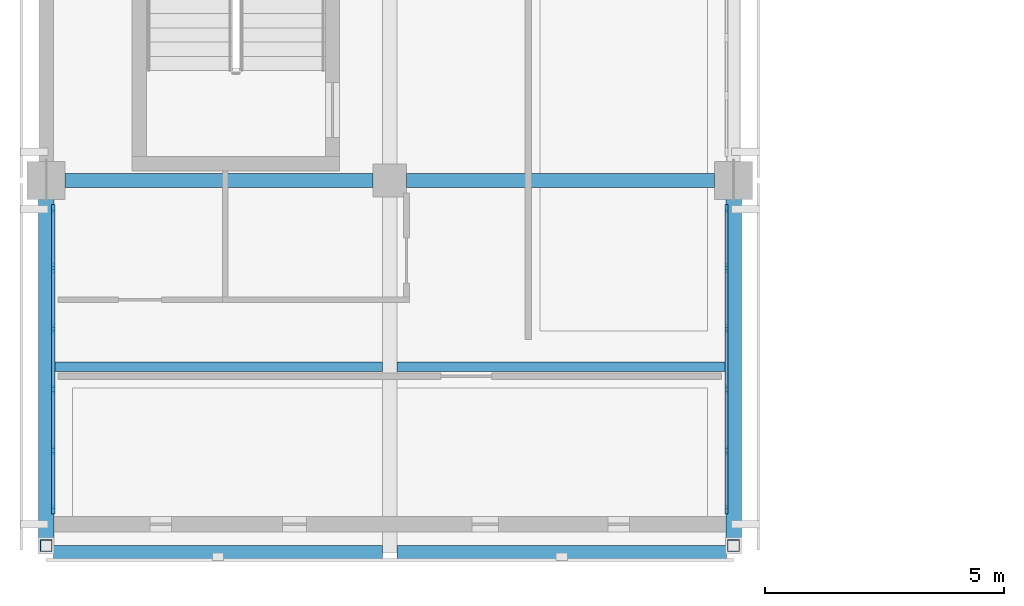
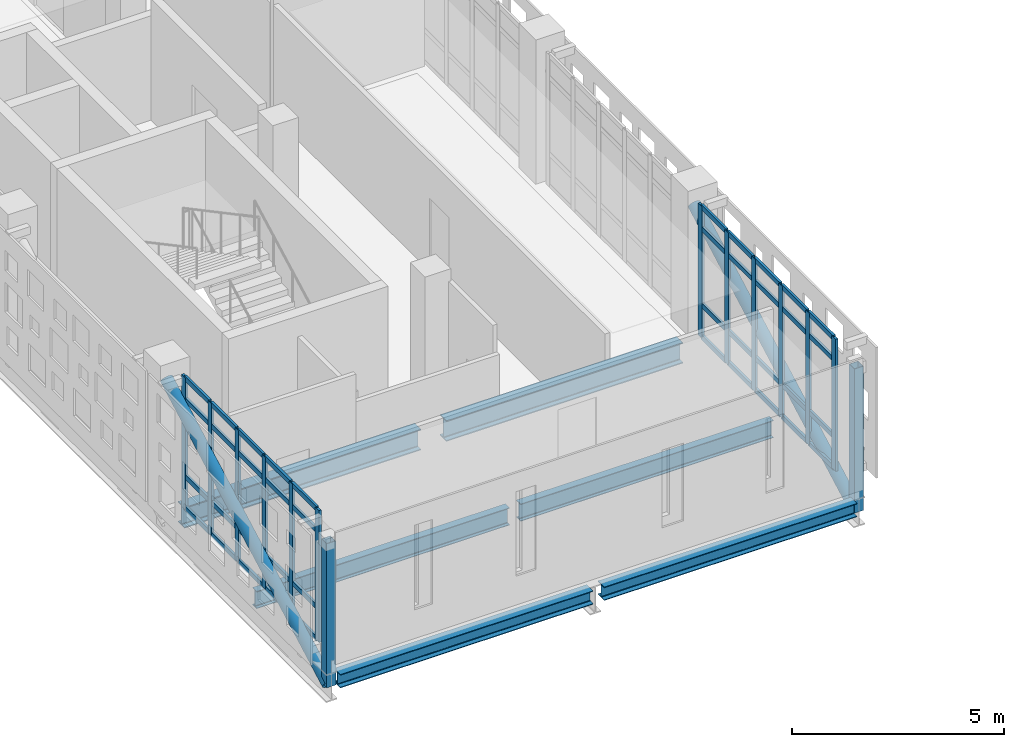
# One storey, part 3 of 33: 56 members, 6 beams, 2 elements without a shape of their own.
"""IFC4 building model written with IfcOpenShell, lengths in metres."""

from ifc_helpers import new_model, si_unit, direction, frame, origin, origin_2d, place, context, subcontext, project, spatial, rectangle, hollow_rectangle, hollow_circle, i_section, extrude, material, layer, layer_set, material_profile, profile_set, type_object, element, aggregate, save


model = new_model("IFC4")

# Units and contexts
model_context = context("Model", 3, precision=1e-05, world=origin(), true_north=direction((0.0, 1.0)))
body_context = subcontext(model_context, "Body", "Model", "MODEL_VIEW")
ifc_project = project(units=[si_unit("LENGTHUNIT", "METRE"), si_unit("AREAUNIT", "SQUARE_METRE"), si_unit("VOLUMEUNIT", "CUBIC_METRE"), si_unit("PLANEANGLEUNIT", "RADIAN"), si_unit("MASSUNIT", "GRAM", prefix="KILO")], contexts=[model_context])

# Site, building, storey
site_placement = place(None, origin())
site = spatial("IfcSite", under=ifc_project, at=site_placement, CompositionType="ELEMENT")
building_placement = place(site_placement, origin())
building = spatial("IfcBuilding", under=site, at=building_placement, Name="Valkovuoma Quantum and Materials Research Institute", CompositionType="ELEMENT")
storey_placement = place(building_placement, frame((0.0, 0.0, 21.43994140625)))
storey = spatial("IfcBuildingStorey", under=building, at=storey_placement, Name="L05", CompositionType="ELEMENT", Elevation=21.43994140625)

# Beams
ifc_material_1 = material(Name="Steel S355J2", Category="steel")
ifc_material_profile_1 = material_profile(ifc_material_1, i_section(OverallWidth=0.300048828125, OverallDepth=0.389892578125, WebThickness=0.010986328125, FlangeThickness=0.01904296875, FilletRadius=0.027099609375, at=origin_2d()), Name="Steel S355J2")
ifc_profile_set_1 = profile_set([ifc_material_profile_1], Name="Steel S355J2")
beam_type_1 = type_object("IfcBeamType", Name="Beam-B-HEA400", PredefinedType="SPANDREL", material=ifc_profile_set_1)
beam_1_placement = place(storey_placement, frame((0.14990234375, 21.0, -0.544921875), z_axis=(1.0, 0.0, 0.0), x_axis=(0.0, 1.0, 0.0)))
element("IfcBeam", 1, at=beam_1_placement, inside=storey, type_object=beam_type_1, Name="L05 cantilever tip beam 1", PredefinedType="SPANDREL", context=body_context, shape_type="SweptSolid", body=[
    extrude(i_section(OverallWidth=0.300048828125, OverallDepth=0.389892578125, WebThickness=0.010986328125, FlangeThickness=0.01904296875, FilletRadius=0.027099609375, at=origin_2d()), origin(), (0.0, 0.0, 1.0), 6.900146484375),
])
beam_2_placement = place(storey_placement, frame((7.35009765625, 21.0, -0.544921875), z_axis=(1.0, 0.0, 0.0), x_axis=(0.0, 1.0, 0.0)))
element("IfcBeam", 2, at=beam_2_placement, inside=storey, type_object=beam_type_1, Name="L05 cantilever tip beam 2", PredefinedType="SPANDREL", context=body_context, shape_type="SweptSolid", body=[
    extrude(i_section(OverallWidth=0.300048828125, OverallDepth=0.389892578125, WebThickness=0.010986328125, FlangeThickness=0.01904296875, FilletRadius=0.027099609375, at=origin_2d()), origin(), (0.0, 0.0, 1.0), 6.89990234375),
])
ifc_material_2 = material(Name="Steel S355J2", Category="steel")
ifc_material_profile_2 = material_profile(ifc_material_2, i_section(OverallWidth=0.300048828125, OverallDepth=0.60009765625, WebThickness=0.015380859375, FlangeThickness=0.030029296875, FilletRadius=0.027099609375, at=origin_2d()), Name="Steel S355J2")
ifc_profile_set_2 = profile_set([ifc_material_profile_2], Name="Steel S355J2")
beam_type_2 = type_object("IfcBeamType", Name="Beam-B-HEB600", PredefinedType="BEAM", material=ifc_profile_set_2)
beam_3_placement = place(storey_placement, frame((0.39990234375, 28.800048828125, -0.64990234375), z_axis=(1.0, 0.0, 0.0), x_axis=(0.0, 1.0, 0.0)))
element("IfcBeam", 3, at=beam_3_placement, inside=storey, type_object=beam_type_2, Name="L05 beam X-2108", PredefinedType="BEAM", context=body_context, shape_type="SweptSolid", body=[
    extrude(i_section(OverallWidth=0.300048828125, OverallDepth=0.60009765625, WebThickness=0.015380859375, FlangeThickness=0.030029296875, FilletRadius=0.027099609375, at=origin_2d()), origin(), (0.0, 0.0, 1.0), 6.4501953125),
])
beam_4_placement = place(storey_placement, frame((7.550048828125, 28.800048828125, -0.64990234375), z_axis=(1.0, 0.0, 0.0), x_axis=(0.0, 1.0, 0.0)))
element("IfcBeam", 4, at=beam_4_placement, inside=storey, type_object=beam_type_2, Name="L05 beam X-2109", PredefinedType="BEAM", context=body_context, shape_type="SweptSolid", body=[
    extrude(i_section(OverallWidth=0.300048828125, OverallDepth=0.60009765625, WebThickness=0.015380859375, FlangeThickness=0.030029296875, FilletRadius=0.027099609375, at=origin_2d()), origin(), (0.0, 0.0, 1.0), 6.449951171875),
])
ifc_material_3 = material(Name="Steel S355J2", Category="steel")
ifc_material_profile_3 = material_profile(ifc_material_3, i_section(OverallWidth=0.199951171875, OverallDepth=0.5, WebThickness=0.01025390625, FlangeThickness=0.01611328125, FilletRadius=0.02099609375, at=origin_2d()), Name="Steel S355J2")
ifc_profile_set_3 = profile_set([ifc_material_profile_3], Name="Steel S355J2")
beam_type_3 = type_object("IfcBeamType", Name="Beam-B-IPE500", PredefinedType="BEAM", material=ifc_profile_set_3)
beam_5_placement = place(storey_placement, frame((0.14990234375, 24.89990234375, -0.599853515625), z_axis=(1.0, 0.0, 0.0), x_axis=(0.0, 1.0, 0.0)))
element("IfcBeam", 5, at=beam_5_placement, inside=storey, type_object=beam_type_3, Name="L05 cantilever mid beam 1", PredefinedType="BEAM", context=body_context, shape_type="SweptSolid", body=[
    extrude(i_section(OverallWidth=0.199951171875, OverallDepth=0.5, WebThickness=0.01025390625, FlangeThickness=0.01611328125, FilletRadius=0.02099609375, at=origin_2d()), origin(), (0.0, 0.0, 1.0), 6.900146484375),
])
beam_6_placement = place(storey_placement, frame((7.35009765625, 24.89990234375, -0.599853515625), z_axis=(1.0, 0.0, 0.0), x_axis=(0.0, 1.0, 0.0)))
element("IfcBeam", 6, at=beam_6_placement, inside=storey, type_object=beam_type_3, Name="L05 cantilever mid beam 2", PredefinedType="BEAM", context=body_context, shape_type="SweptSolid", body=[
    extrude(i_section(OverallWidth=0.199951171875, OverallDepth=0.5, WebThickness=0.01025390625, FlangeThickness=0.01611328125, FilletRadius=0.02099609375, at=origin_2d()), origin(), (0.0, 0.0, 1.0), 6.89990234375),
])

# Curtain wall, members
ifc_material_4 = material(Name="Thermally broken aluminium and triple low-E glazing", Category="aluminium")
ifc_layer = layer(ifc_material_4, 0.219970703125)
ifc_layer_set = layer_set([ifc_layer], Name="Thermally broken aluminium and triple low-E glazing")
curtain_wall_type = type_object("IfcCurtainWallType", Name="CW-CW-01", PredefinedType="NOTDEFINED", material=ifc_layer_set)
curtain_wall_1_placement = place(storey_placement, origin())
curtain_wall_1 = element("IfcCurtainWall", 7, at=curtain_wall_1_placement, inside=storey, type_object=curtain_wall_type, Name="L05 curtain wall 055", PredefinedType="NOTDEFINED")
ifc_material_5 = material(Name="Anodised aluminium 6060-T66", Category="aluminium")
ifc_material_profile_4 = material_profile(ifc_material_5, rectangle(XDim=0.06494140625, YDim=0.179931640625, at=origin_2d()), Name="Anodised aluminium 6060-T66")
ifc_profile_set_4 = profile_set([ifc_material_profile_4], Name="Anodised aluminium 6060-T66")
member_type_1 = type_object("IfcMemberType", Name="CWMull-CWM-01", PredefinedType="MULLION", material=ifc_profile_set_4)
member_1_placement = place(storey_placement, frame((0.14990234375, 21.900390625, 0.0), z_axis=(0.0, 0.0, 1.0), x_axis=(-1.0, 0.0, 0.0)))
member_1 = element("IfcMember", 8, at=member_1_placement, type_object=member_type_1, Name="CW-01 mullion 1", PredefinedType="MULLION", context=body_context, shape_type="SweptSolid", body=[
    extrude(rectangle(XDim=0.06494140625, YDim=0.179931640625, at=origin_2d()), origin(), (0.0, 0.0, 1.0), 3.81005859375),
])
member_2_placement = place(storey_placement, frame((0.14990234375, 23.142822265625, 0.0), z_axis=(0.0, 0.0, 1.0), x_axis=(-1.0, 0.0, 0.0)))
member_2 = element("IfcMember", 9, at=member_2_placement, type_object=member_type_1, Name="CW-01 mullion 2", PredefinedType="MULLION", context=body_context, shape_type="SweptSolid", body=[
    extrude(rectangle(XDim=0.06494140625, YDim=0.179931640625, at=origin_2d()), origin(), (0.0, 0.0, 1.0), 3.81005859375),
])
member_3_placement = place(storey_placement, frame((0.14990234375, 24.41796875, 0.0), z_axis=(0.0, 0.0, 1.0), x_axis=(-1.0, 0.0, 0.0)))
member_3 = element("IfcMember", 10, at=member_3_placement, type_object=member_type_1, Name="CW-01 mullion 3", PredefinedType="MULLION", context=body_context, shape_type="SweptSolid", body=[
    extrude(rectangle(XDim=0.06494140625, YDim=0.179931640625, at=origin_2d()), origin(), (0.0, 0.0, 1.0), 3.81005859375),
])
member_4_placement = place(storey_placement, frame((0.14990234375, 25.69287109375, 0.0), z_axis=(0.0, 0.0, 1.0), x_axis=(-1.0, 0.0, 0.0)))
member_4 = element("IfcMember", 11, at=member_4_placement, type_object=member_type_1, Name="CW-01 mullion 4", PredefinedType="MULLION", context=body_context, shape_type="SweptSolid", body=[
    extrude(rectangle(XDim=0.06494140625, YDim=0.179931640625, at=origin_2d()), origin(), (0.0, 0.0, 1.0), 3.81005859375),
])
member_5_placement = place(storey_placement, frame((0.14990234375, 26.968017578125, 0.0), z_axis=(0.0, 0.0, 1.0), x_axis=(-1.0, 0.0, 0.0)))
member_5 = element("IfcMember", 12, at=member_5_placement, type_object=member_type_1, Name="CW-01 mullion 5", PredefinedType="MULLION", context=body_context, shape_type="SweptSolid", body=[
    extrude(rectangle(XDim=0.06494140625, YDim=0.179931640625, at=origin_2d()), origin(), (0.0, 0.0, 1.0), 3.81005859375),
])
member_6_placement = place(storey_placement, frame((0.14990234375, 28.21044921875, 0.0), z_axis=(0.0, 0.0, 1.0), x_axis=(-1.0, 0.0, 0.0)))
member_6 = element("IfcMember", 13, at=member_6_placement, type_object=member_type_1, Name="CW-01 mullion 6", PredefinedType="MULLION", context=body_context, shape_type="SweptSolid", body=[
    extrude(rectangle(XDim=0.06494140625, YDim=0.179931640625, at=origin_2d()), origin(), (0.0, 0.0, 1.0), 3.81005859375),
])

curtain_wall_2_placement = place(storey_placement, origin())
curtain_wall_2 = element("IfcCurtainWall", 14, at=curtain_wall_2_placement, inside=storey, type_object=curtain_wall_type, Name="L05 curtain wall 056", PredefinedType="NOTDEFINED")
member_7_placement = place(storey_placement, frame((14.25, 21.900390625, 0.0), z_axis=(0.0, 0.0, 1.0), x_axis=(-1.0, 0.0, 0.0)))
member_7 = element("IfcMember", 15, at=member_7_placement, type_object=member_type_1, Name="CW-01 mullion 1", PredefinedType="MULLION", context=body_context, shape_type="SweptSolid", body=[
    extrude(rectangle(XDim=0.06494140625, YDim=0.179931640625, at=origin_2d()), origin(), (0.0, 0.0, 1.0), 3.81005859375),
])
member_8_placement = place(storey_placement, frame((14.25, 23.142822265625, 0.0), z_axis=(0.0, 0.0, 1.0), x_axis=(-1.0, 0.0, 0.0)))
member_8 = element("IfcMember", 16, at=member_8_placement, type_object=member_type_1, Name="CW-01 mullion 2", PredefinedType="MULLION", context=body_context, shape_type="SweptSolid", body=[
    extrude(rectangle(XDim=0.06494140625, YDim=0.179931640625, at=origin_2d()), origin(), (0.0, 0.0, 1.0), 3.81005859375),
])
member_9_placement = place(storey_placement, frame((14.25, 24.41796875, 0.0), z_axis=(0.0, 0.0, 1.0), x_axis=(-1.0, 0.0, 0.0)))
member_9 = element("IfcMember", 17, at=member_9_placement, type_object=member_type_1, Name="CW-01 mullion 3", PredefinedType="MULLION", context=body_context, shape_type="SweptSolid", body=[
    extrude(rectangle(XDim=0.06494140625, YDim=0.179931640625, at=origin_2d()), origin(), (0.0, 0.0, 1.0), 3.81005859375),
])
member_10_placement = place(storey_placement, frame((14.25, 25.69287109375, 0.0), z_axis=(0.0, 0.0, 1.0), x_axis=(-1.0, 0.0, 0.0)))
member_10 = element("IfcMember", 18, at=member_10_placement, type_object=member_type_1, Name="CW-01 mullion 4", PredefinedType="MULLION", context=body_context, shape_type="SweptSolid", body=[
    extrude(rectangle(XDim=0.06494140625, YDim=0.179931640625, at=origin_2d()), origin(), (0.0, 0.0, 1.0), 3.81005859375),
])
member_11_placement = place(storey_placement, frame((14.25, 26.968017578125, 0.0), z_axis=(0.0, 0.0, 1.0), x_axis=(-1.0, 0.0, 0.0)))
member_11 = element("IfcMember", 19, at=member_11_placement, type_object=member_type_1, Name="CW-01 mullion 5", PredefinedType="MULLION", context=body_context, shape_type="SweptSolid", body=[
    extrude(rectangle(XDim=0.06494140625, YDim=0.179931640625, at=origin_2d()), origin(), (0.0, 0.0, 1.0), 3.81005859375),
])
member_12_placement = place(storey_placement, frame((14.25, 28.21044921875, 0.0), z_axis=(0.0, 0.0, 1.0), x_axis=(-1.0, 0.0, 0.0)))
member_12 = element("IfcMember", 20, at=member_12_placement, type_object=member_type_1, Name="CW-01 mullion 6", PredefinedType="MULLION", context=body_context, shape_type="SweptSolid", body=[
    extrude(rectangle(XDim=0.06494140625, YDim=0.179931640625, at=origin_2d()), origin(), (0.0, 0.0, 1.0), 3.81005859375),
])

# Member
ifc_material_6 = material(Name="Anodised aluminium 6060-T66", Category="aluminium")
ifc_material_profile_5 = material_profile(ifc_material_6, rectangle(XDim=0.06494140625, YDim=0.139892578125, at=origin_2d()), Name="Anodised aluminium 6060-T66")
ifc_profile_set_5 = profile_set([ifc_material_profile_5], Name="Anodised aluminium 6060-T66")
member_type_2 = type_object("IfcMemberType", Name="CWTran-CWT-01", PredefinedType="USERDEFINED", material=ifc_profile_set_5)
member_13_placement = place(storey_placement, frame((0.14990234375, 21.932861328125, 0.032470703125), z_axis=(0.0, 1.0, 0.0), x_axis=(-1.0, 0.0, 0.0)))
member_13 = element("IfcMember", 21, at=member_13_placement, type_object=member_type_2, Name="CW-01 transom 1.1", ObjectType="TRANSOM", PredefinedType="USERDEFINED", context=body_context, shape_type="SweptSolid", body=[
    extrude(rectangle(XDim=0.06494140625, YDim=0.139892578125, at=origin_2d()), origin(), (0.0, 0.0, 1.0), 1.177490234375),
])

member_14_placement = place(storey_placement, frame((0.14990234375, 21.932861328125, 0.949951171875), z_axis=(0.0, 1.0, 0.0), x_axis=(-1.0, 0.0, 0.0)))
member_14 = element("IfcMember", 22, at=member_14_placement, type_object=member_type_2, Name="CW-01 transom 1.2", ObjectType="TRANSOM", PredefinedType="USERDEFINED", context=body_context, shape_type="SweptSolid", body=[
    extrude(rectangle(XDim=0.06494140625, YDim=0.139892578125, at=origin_2d()), origin(), (0.0, 0.0, 1.0), 1.177490234375),
])

member_15_placement = place(storey_placement, frame((0.14990234375, 21.932861328125, 3.16015625), z_axis=(0.0, 1.0, 0.0), x_axis=(-1.0, 0.0, 0.0)))
member_15 = element("IfcMember", 23, at=member_15_placement, type_object=member_type_2, Name="CW-01 transom 1.3", ObjectType="TRANSOM", PredefinedType="USERDEFINED", context=body_context, shape_type="SweptSolid", body=[
    extrude(rectangle(XDim=0.06494140625, YDim=0.139892578125, at=origin_2d()), origin(), (0.0, 0.0, 1.0), 1.177490234375),
])

member_16_placement = place(storey_placement, frame((0.14990234375, 21.932861328125, 3.777587890625), z_axis=(0.0, 1.0, 0.0), x_axis=(-1.0, 0.0, 0.0)))
member_16 = element("IfcMember", 24, at=member_16_placement, type_object=member_type_2, Name="CW-01 transom 1.4", ObjectType="TRANSOM", PredefinedType="USERDEFINED", context=body_context, shape_type="SweptSolid", body=[
    extrude(rectangle(XDim=0.06494140625, YDim=0.139892578125, at=origin_2d()), origin(), (0.0, 0.0, 1.0), 1.177490234375),
])

member_17_placement = place(storey_placement, frame((0.14990234375, 23.17529296875, 0.032470703125), z_axis=(0.0, 1.0, 0.0), x_axis=(-1.0, 0.0, 0.0)))
member_17 = element("IfcMember", 25, at=member_17_placement, type_object=member_type_2, Name="CW-01 transom 2.1", ObjectType="TRANSOM", PredefinedType="USERDEFINED", context=body_context, shape_type="SweptSolid", body=[
    extrude(rectangle(XDim=0.06494140625, YDim=0.139892578125, at=origin_2d()), origin(), (0.0, 0.0, 1.0), 1.210205078125),
])

member_18_placement = place(storey_placement, frame((0.14990234375, 23.17529296875, 0.949951171875), z_axis=(0.0, 1.0, 0.0), x_axis=(-1.0, 0.0, 0.0)))
member_18 = element("IfcMember", 26, at=member_18_placement, type_object=member_type_2, Name="CW-01 transom 2.2", ObjectType="TRANSOM", PredefinedType="USERDEFINED", context=body_context, shape_type="SweptSolid", body=[
    extrude(rectangle(XDim=0.06494140625, YDim=0.139892578125, at=origin_2d()), origin(), (0.0, 0.0, 1.0), 1.210205078125),
])

member_19_placement = place(storey_placement, frame((0.14990234375, 23.17529296875, 3.16015625), z_axis=(0.0, 1.0, 0.0), x_axis=(-1.0, 0.0, 0.0)))
member_19 = element("IfcMember", 27, at=member_19_placement, type_object=member_type_2, Name="CW-01 transom 2.3", ObjectType="TRANSOM", PredefinedType="USERDEFINED", context=body_context, shape_type="SweptSolid", body=[
    extrude(rectangle(XDim=0.06494140625, YDim=0.139892578125, at=origin_2d()), origin(), (0.0, 0.0, 1.0), 1.210205078125),
])

member_20_placement = place(storey_placement, frame((0.14990234375, 23.17529296875, 3.777587890625), z_axis=(0.0, 1.0, 0.0), x_axis=(-1.0, 0.0, 0.0)))
member_20 = element("IfcMember", 28, at=member_20_placement, type_object=member_type_2, Name="CW-01 transom 2.4", ObjectType="TRANSOM", PredefinedType="USERDEFINED", context=body_context, shape_type="SweptSolid", body=[
    extrude(rectangle(XDim=0.06494140625, YDim=0.139892578125, at=origin_2d()), origin(), (0.0, 0.0, 1.0), 1.210205078125),
])

member_21_placement = place(storey_placement, frame((0.14990234375, 24.450439453125, 0.032470703125), z_axis=(0.0, 1.0, 0.0), x_axis=(-1.0, 0.0, 0.0)))
member_21 = element("IfcMember", 29, at=member_21_placement, type_object=member_type_2, Name="CW-01 transom 3.1", ObjectType="TRANSOM", PredefinedType="USERDEFINED", context=body_context, shape_type="SweptSolid", body=[
    extrude(rectangle(XDim=0.06494140625, YDim=0.139892578125, at=origin_2d()), origin(), (0.0, 0.0, 1.0), 1.2099609375),
])

member_22_placement = place(storey_placement, frame((0.14990234375, 24.450439453125, 0.949951171875), z_axis=(0.0, 1.0, 0.0), x_axis=(-1.0, 0.0, 0.0)))
member_22 = element("IfcMember", 30, at=member_22_placement, type_object=member_type_2, Name="CW-01 transom 3.2", ObjectType="TRANSOM", PredefinedType="USERDEFINED", context=body_context, shape_type="SweptSolid", body=[
    extrude(rectangle(XDim=0.06494140625, YDim=0.139892578125, at=origin_2d()), origin(), (0.0, 0.0, 1.0), 1.2099609375),
])

member_23_placement = place(storey_placement, frame((0.14990234375, 24.450439453125, 3.16015625), z_axis=(0.0, 1.0, 0.0), x_axis=(-1.0, 0.0, 0.0)))
member_23 = element("IfcMember", 31, at=member_23_placement, type_object=member_type_2, Name="CW-01 transom 3.3", ObjectType="TRANSOM", PredefinedType="USERDEFINED", context=body_context, shape_type="SweptSolid", body=[
    extrude(rectangle(XDim=0.06494140625, YDim=0.139892578125, at=origin_2d()), origin(), (0.0, 0.0, 1.0), 1.2099609375),
])

member_24_placement = place(storey_placement, frame((0.14990234375, 24.450439453125, 3.777587890625), z_axis=(0.0, 1.0, 0.0), x_axis=(-1.0, 0.0, 0.0)))
member_24 = element("IfcMember", 32, at=member_24_placement, type_object=member_type_2, Name="CW-01 transom 3.4", ObjectType="TRANSOM", PredefinedType="USERDEFINED", context=body_context, shape_type="SweptSolid", body=[
    extrude(rectangle(XDim=0.06494140625, YDim=0.139892578125, at=origin_2d()), origin(), (0.0, 0.0, 1.0), 1.2099609375),
])

member_25_placement = place(storey_placement, frame((0.14990234375, 25.725341796875, 0.032470703125), z_axis=(0.0, 1.0, 0.0), x_axis=(-1.0, 0.0, 0.0)))
member_25 = element("IfcMember", 33, at=member_25_placement, type_object=member_type_2, Name="CW-01 transom 4.1", ObjectType="TRANSOM", PredefinedType="USERDEFINED", context=body_context, shape_type="SweptSolid", body=[
    extrude(rectangle(XDim=0.06494140625, YDim=0.139892578125, at=origin_2d()), origin(), (0.0, 0.0, 1.0), 1.2099609375),
])

member_26_placement = place(storey_placement, frame((0.14990234375, 25.725341796875, 0.949951171875), z_axis=(0.0, 1.0, 0.0), x_axis=(-1.0, 0.0, 0.0)))
member_26 = element("IfcMember", 34, at=member_26_placement, type_object=member_type_2, Name="CW-01 transom 4.2", ObjectType="TRANSOM", PredefinedType="USERDEFINED", context=body_context, shape_type="SweptSolid", body=[
    extrude(rectangle(XDim=0.06494140625, YDim=0.139892578125, at=origin_2d()), origin(), (0.0, 0.0, 1.0), 1.2099609375),
])

member_27_placement = place(storey_placement, frame((0.14990234375, 25.725341796875, 3.16015625), z_axis=(0.0, 1.0, 0.0), x_axis=(-1.0, 0.0, 0.0)))
member_27 = element("IfcMember", 35, at=member_27_placement, type_object=member_type_2, Name="CW-01 transom 4.3", ObjectType="TRANSOM", PredefinedType="USERDEFINED", context=body_context, shape_type="SweptSolid", body=[
    extrude(rectangle(XDim=0.06494140625, YDim=0.139892578125, at=origin_2d()), origin(), (0.0, 0.0, 1.0), 1.2099609375),
])

member_28_placement = place(storey_placement, frame((0.14990234375, 25.725341796875, 3.777587890625), z_axis=(0.0, 1.0, 0.0), x_axis=(-1.0, 0.0, 0.0)))
member_28 = element("IfcMember", 36, at=member_28_placement, type_object=member_type_2, Name="CW-01 transom 4.4", ObjectType="TRANSOM", PredefinedType="USERDEFINED", context=body_context, shape_type="SweptSolid", body=[
    extrude(rectangle(XDim=0.06494140625, YDim=0.139892578125, at=origin_2d()), origin(), (0.0, 0.0, 1.0), 1.2099609375),
])

member_29_placement = place(storey_placement, frame((0.14990234375, 27.00048828125, 0.032470703125), z_axis=(0.0, 1.0, 0.0), x_axis=(-1.0, 0.0, 0.0)))
member_29 = element("IfcMember", 37, at=member_29_placement, type_object=member_type_2, Name="CW-01 transom 5.1", ObjectType="TRANSOM", PredefinedType="USERDEFINED", context=body_context, shape_type="SweptSolid", body=[
    extrude(rectangle(XDim=0.06494140625, YDim=0.139892578125, at=origin_2d()), origin(), (0.0, 0.0, 1.0), 1.177490234375),
])

member_30_placement = place(storey_placement, frame((0.14990234375, 27.00048828125, 0.949951171875), z_axis=(0.0, 1.0, 0.0), x_axis=(-1.0, 0.0, 0.0)))
member_30 = element("IfcMember", 38, at=member_30_placement, type_object=member_type_2, Name="CW-01 transom 5.2", ObjectType="TRANSOM", PredefinedType="USERDEFINED", context=body_context, shape_type="SweptSolid", body=[
    extrude(rectangle(XDim=0.06494140625, YDim=0.139892578125, at=origin_2d()), origin(), (0.0, 0.0, 1.0), 1.177490234375),
])

member_31_placement = place(storey_placement, frame((0.14990234375, 27.00048828125, 3.16015625), z_axis=(0.0, 1.0, 0.0), x_axis=(-1.0, 0.0, 0.0)))
member_31 = element("IfcMember", 39, at=member_31_placement, type_object=member_type_2, Name="CW-01 transom 5.3", ObjectType="TRANSOM", PredefinedType="USERDEFINED", context=body_context, shape_type="SweptSolid", body=[
    extrude(rectangle(XDim=0.06494140625, YDim=0.139892578125, at=origin_2d()), origin(), (0.0, 0.0, 1.0), 1.177490234375),
])

member_32_placement = place(storey_placement, frame((0.14990234375, 27.00048828125, 3.777587890625), z_axis=(0.0, 1.0, 0.0), x_axis=(-1.0, 0.0, 0.0)))
member_32 = element("IfcMember", 40, at=member_32_placement, type_object=member_type_2, Name="CW-01 transom 5.4", ObjectType="TRANSOM", PredefinedType="USERDEFINED", context=body_context, shape_type="SweptSolid", body=[
    extrude(rectangle(XDim=0.06494140625, YDim=0.139892578125, at=origin_2d()), origin(), (0.0, 0.0, 1.0), 1.177490234375),
])

aggregate(curtain_wall_1, [member_1, member_2, member_3, member_4, member_5, member_6, member_13, member_14, member_15, member_16, member_17, member_18, member_19, member_20, member_21, member_22, member_23, member_24, member_25, member_26, member_27, member_28, member_29, member_30, member_31, member_32])

member_33_placement = place(storey_placement, frame((14.25, 21.932861328125, 0.032470703125), z_axis=(0.0, 1.0, 0.0), x_axis=(-1.0, 0.0, 0.0)))
member_33 = element("IfcMember", 41, at=member_33_placement, type_object=member_type_2, Name="CW-01 transom 1.1", ObjectType="TRANSOM", PredefinedType="USERDEFINED", context=body_context, shape_type="SweptSolid", body=[
    extrude(rectangle(XDim=0.06494140625, YDim=0.139892578125, at=origin_2d()), origin(), (0.0, 0.0, 1.0), 1.177490234375),
])

member_34_placement = place(storey_placement, frame((14.25, 21.932861328125, 0.949951171875), z_axis=(0.0, 1.0, 0.0), x_axis=(-1.0, 0.0, 0.0)))
member_34 = element("IfcMember", 42, at=member_34_placement, type_object=member_type_2, Name="CW-01 transom 1.2", ObjectType="TRANSOM", PredefinedType="USERDEFINED", context=body_context, shape_type="SweptSolid", body=[
    extrude(rectangle(XDim=0.06494140625, YDim=0.139892578125, at=origin_2d()), origin(), (0.0, 0.0, 1.0), 1.177490234375),
])

member_35_placement = place(storey_placement, frame((14.25, 21.932861328125, 3.16015625), z_axis=(0.0, 1.0, 0.0), x_axis=(-1.0, 0.0, 0.0)))
member_35 = element("IfcMember", 43, at=member_35_placement, type_object=member_type_2, Name="CW-01 transom 1.3", ObjectType="TRANSOM", PredefinedType="USERDEFINED", context=body_context, shape_type="SweptSolid", body=[
    extrude(rectangle(XDim=0.06494140625, YDim=0.139892578125, at=origin_2d()), origin(), (0.0, 0.0, 1.0), 1.177490234375),
])

member_36_placement = place(storey_placement, frame((14.25, 21.932861328125, 3.777587890625), z_axis=(0.0, 1.0, 0.0), x_axis=(-1.0, 0.0, 0.0)))
member_36 = element("IfcMember", 44, at=member_36_placement, type_object=member_type_2, Name="CW-01 transom 1.4", ObjectType="TRANSOM", PredefinedType="USERDEFINED", context=body_context, shape_type="SweptSolid", body=[
    extrude(rectangle(XDim=0.06494140625, YDim=0.139892578125, at=origin_2d()), origin(), (0.0, 0.0, 1.0), 1.177490234375),
])

member_37_placement = place(storey_placement, frame((14.25, 23.17529296875, 0.032470703125), z_axis=(0.0, 1.0, 0.0), x_axis=(-1.0, 0.0, 0.0)))
member_37 = element("IfcMember", 45, at=member_37_placement, type_object=member_type_2, Name="CW-01 transom 2.1", ObjectType="TRANSOM", PredefinedType="USERDEFINED", context=body_context, shape_type="SweptSolid", body=[
    extrude(rectangle(XDim=0.06494140625, YDim=0.139892578125, at=origin_2d()), origin(), (0.0, 0.0, 1.0), 1.210205078125),
])

member_38_placement = place(storey_placement, frame((14.25, 23.17529296875, 0.949951171875), z_axis=(0.0, 1.0, 0.0), x_axis=(-1.0, 0.0, 0.0)))
member_38 = element("IfcMember", 46, at=member_38_placement, type_object=member_type_2, Name="CW-01 transom 2.2", ObjectType="TRANSOM", PredefinedType="USERDEFINED", context=body_context, shape_type="SweptSolid", body=[
    extrude(rectangle(XDim=0.06494140625, YDim=0.139892578125, at=origin_2d()), origin(), (0.0, 0.0, 1.0), 1.210205078125),
])

member_39_placement = place(storey_placement, frame((14.25, 23.17529296875, 3.16015625), z_axis=(0.0, 1.0, 0.0), x_axis=(-1.0, 0.0, 0.0)))
member_39 = element("IfcMember", 47, at=member_39_placement, type_object=member_type_2, Name="CW-01 transom 2.3", ObjectType="TRANSOM", PredefinedType="USERDEFINED", context=body_context, shape_type="SweptSolid", body=[
    extrude(rectangle(XDim=0.06494140625, YDim=0.139892578125, at=origin_2d()), origin(), (0.0, 0.0, 1.0), 1.210205078125),
])

member_40_placement = place(storey_placement, frame((14.25, 23.17529296875, 3.777587890625), z_axis=(0.0, 1.0, 0.0), x_axis=(-1.0, 0.0, 0.0)))
member_40 = element("IfcMember", 48, at=member_40_placement, type_object=member_type_2, Name="CW-01 transom 2.4", ObjectType="TRANSOM", PredefinedType="USERDEFINED", context=body_context, shape_type="SweptSolid", body=[
    extrude(rectangle(XDim=0.06494140625, YDim=0.139892578125, at=origin_2d()), origin(), (0.0, 0.0, 1.0), 1.210205078125),
])

member_41_placement = place(storey_placement, frame((14.25, 24.450439453125, 0.032470703125), z_axis=(0.0, 1.0, 0.0), x_axis=(-1.0, 0.0, 0.0)))
member_41 = element("IfcMember", 49, at=member_41_placement, type_object=member_type_2, Name="CW-01 transom 3.1", ObjectType="TRANSOM", PredefinedType="USERDEFINED", context=body_context, shape_type="SweptSolid", body=[
    extrude(rectangle(XDim=0.06494140625, YDim=0.139892578125, at=origin_2d()), origin(), (0.0, 0.0, 1.0), 1.2099609375),
])

member_42_placement = place(storey_placement, frame((14.25, 24.450439453125, 0.949951171875), z_axis=(0.0, 1.0, 0.0), x_axis=(-1.0, 0.0, 0.0)))
member_42 = element("IfcMember", 50, at=member_42_placement, type_object=member_type_2, Name="CW-01 transom 3.2", ObjectType="TRANSOM", PredefinedType="USERDEFINED", context=body_context, shape_type="SweptSolid", body=[
    extrude(rectangle(XDim=0.06494140625, YDim=0.139892578125, at=origin_2d()), origin(), (0.0, 0.0, 1.0), 1.2099609375),
])

member_43_placement = place(storey_placement, frame((14.25, 24.450439453125, 3.16015625), z_axis=(0.0, 1.0, 0.0), x_axis=(-1.0, 0.0, 0.0)))
member_43 = element("IfcMember", 51, at=member_43_placement, type_object=member_type_2, Name="CW-01 transom 3.3", ObjectType="TRANSOM", PredefinedType="USERDEFINED", context=body_context, shape_type="SweptSolid", body=[
    extrude(rectangle(XDim=0.06494140625, YDim=0.139892578125, at=origin_2d()), origin(), (0.0, 0.0, 1.0), 1.2099609375),
])

member_44_placement = place(storey_placement, frame((14.25, 24.450439453125, 3.777587890625), z_axis=(0.0, 1.0, 0.0), x_axis=(-1.0, 0.0, 0.0)))
member_44 = element("IfcMember", 52, at=member_44_placement, type_object=member_type_2, Name="CW-01 transom 3.4", ObjectType="TRANSOM", PredefinedType="USERDEFINED", context=body_context, shape_type="SweptSolid", body=[
    extrude(rectangle(XDim=0.06494140625, YDim=0.139892578125, at=origin_2d()), origin(), (0.0, 0.0, 1.0), 1.2099609375),
])

member_45_placement = place(storey_placement, frame((14.25, 25.725341796875, 0.032470703125), z_axis=(0.0, 1.0, 0.0), x_axis=(-1.0, 0.0, 0.0)))
member_45 = element("IfcMember", 53, at=member_45_placement, type_object=member_type_2, Name="CW-01 transom 4.1", ObjectType="TRANSOM", PredefinedType="USERDEFINED", context=body_context, shape_type="SweptSolid", body=[
    extrude(rectangle(XDim=0.06494140625, YDim=0.139892578125, at=origin_2d()), origin(), (0.0, 0.0, 1.0), 1.2099609375),
])

member_46_placement = place(storey_placement, frame((14.25, 25.725341796875, 0.949951171875), z_axis=(0.0, 1.0, 0.0), x_axis=(-1.0, 0.0, 0.0)))
member_46 = element("IfcMember", 54, at=member_46_placement, type_object=member_type_2, Name="CW-01 transom 4.2", ObjectType="TRANSOM", PredefinedType="USERDEFINED", context=body_context, shape_type="SweptSolid", body=[
    extrude(rectangle(XDim=0.06494140625, YDim=0.139892578125, at=origin_2d()), origin(), (0.0, 0.0, 1.0), 1.2099609375),
])

member_47_placement = place(storey_placement, frame((14.25, 25.725341796875, 3.16015625), z_axis=(0.0, 1.0, 0.0), x_axis=(-1.0, 0.0, 0.0)))
member_47 = element("IfcMember", 55, at=member_47_placement, type_object=member_type_2, Name="CW-01 transom 4.3", ObjectType="TRANSOM", PredefinedType="USERDEFINED", context=body_context, shape_type="SweptSolid", body=[
    extrude(rectangle(XDim=0.06494140625, YDim=0.139892578125, at=origin_2d()), origin(), (0.0, 0.0, 1.0), 1.2099609375),
])

member_48_placement = place(storey_placement, frame((14.25, 25.725341796875, 3.777587890625), z_axis=(0.0, 1.0, 0.0), x_axis=(-1.0, 0.0, 0.0)))
member_48 = element("IfcMember", 56, at=member_48_placement, type_object=member_type_2, Name="CW-01 transom 4.4", ObjectType="TRANSOM", PredefinedType="USERDEFINED", context=body_context, shape_type="SweptSolid", body=[
    extrude(rectangle(XDim=0.06494140625, YDim=0.139892578125, at=origin_2d()), origin(), (0.0, 0.0, 1.0), 1.2099609375),
])

member_49_placement = place(storey_placement, frame((14.25, 27.00048828125, 0.032470703125), z_axis=(0.0, 1.0, 0.0), x_axis=(-1.0, 0.0, 0.0)))
member_49 = element("IfcMember", 57, at=member_49_placement, type_object=member_type_2, Name="CW-01 transom 5.1", ObjectType="TRANSOM", PredefinedType="USERDEFINED", context=body_context, shape_type="SweptSolid", body=[
    extrude(rectangle(XDim=0.06494140625, YDim=0.139892578125, at=origin_2d()), origin(), (0.0, 0.0, 1.0), 1.177490234375),
])

member_50_placement = place(storey_placement, frame((14.25, 27.00048828125, 0.949951171875), z_axis=(0.0, 1.0, 0.0), x_axis=(-1.0, 0.0, 0.0)))
member_50 = element("IfcMember", 58, at=member_50_placement, type_object=member_type_2, Name="CW-01 transom 5.2", ObjectType="TRANSOM", PredefinedType="USERDEFINED", context=body_context, shape_type="SweptSolid", body=[
    extrude(rectangle(XDim=0.06494140625, YDim=0.139892578125, at=origin_2d()), origin(), (0.0, 0.0, 1.0), 1.177490234375),
])

member_51_placement = place(storey_placement, frame((14.25, 27.00048828125, 3.16015625), z_axis=(0.0, 1.0, 0.0), x_axis=(-1.0, 0.0, 0.0)))
member_51 = element("IfcMember", 59, at=member_51_placement, type_object=member_type_2, Name="CW-01 transom 5.3", ObjectType="TRANSOM", PredefinedType="USERDEFINED", context=body_context, shape_type="SweptSolid", body=[
    extrude(rectangle(XDim=0.06494140625, YDim=0.139892578125, at=origin_2d()), origin(), (0.0, 0.0, 1.0), 1.177490234375),
])

member_52_placement = place(storey_placement, frame((14.25, 27.00048828125, 3.777587890625), z_axis=(0.0, 1.0, 0.0), x_axis=(-1.0, 0.0, 0.0)))
member_52 = element("IfcMember", 60, at=member_52_placement, type_object=member_type_2, Name="CW-01 transom 5.4", ObjectType="TRANSOM", PredefinedType="USERDEFINED", context=body_context, shape_type="SweptSolid", body=[
    extrude(rectangle(XDim=0.06494140625, YDim=0.139892578125, at=origin_2d()), origin(), (0.0, 0.0, 1.0), 1.177490234375),
])

aggregate(curtain_wall_2, [member_7, member_8, member_9, member_10, member_11, member_12, member_33, member_34, member_35, member_36, member_37, member_38, member_39, member_40, member_41, member_42, member_43, member_44, member_45, member_46, member_47, member_48, member_49, member_50, member_51, member_52])

# Members
ifc_material_7 = material(Name="Steel S355J2H", Category="steel")
ifc_material_profile_6 = material_profile(ifc_material_7, hollow_circle(Radius=0.161865234375, WallThickness=0.01611328125, at=origin_2d()), Name="Steel S355J2H")
ifc_profile_set_6 = profile_set([ifc_material_profile_6], Name="Steel S355J2H")
member_type_3 = type_object("IfcMemberType", Name="Mem-M-BRC324", PredefinedType="BRACE", material=ifc_profile_set_6)
for number, where, z_axis, x_axis, name in (
    (61, (0.0, 21.14990234375, -0.75), (0.0, 0.878505577707, 0.477732090127), (-1.0, 0.0, 0.0), "L05 cantilever overhang diagonal 0"),
    (62, (14.39990234375, 21.14990234375, -0.75), (0.0, 0.878505577707, 0.477732090127), (-1.0, 0.0, 0.0), "L05 cantilever overhang diagonal 1"),
):
    element("IfcMember", number, at=place(storey_placement, frame(where, z_axis=z_axis, x_axis=x_axis)), inside=storey, type_object=member_type_3, Name=name, PredefinedType="BRACE", context=body_context, shape_type="SweptSolid", body=[
        extrude(hollow_circle(Radius=0.161865234375, WallThickness=0.01611328125, at=origin_2d()), origin(), (0.0, 0.0, 1.0), 8.708251953125),
    ])
ifc_material_8 = material(Name="Steel S355J2H", Category="steel")
ifc_material_profile_7 = material_profile(ifc_material_8, hollow_rectangle(XDim=0.25, YDim=0.25, WallThickness=0.012451171875, at=origin_2d()), Name="Steel S355J2H")
ifc_profile_set_7 = profile_set([ifc_material_profile_7], Name="Steel S355J2H")
member_type_4 = type_object("IfcMemberType", Name="Mem-M-STR250", PredefinedType="STRUT", material=ifc_profile_set_7)
for number, where, z_axis, x_axis, name in (
    (63, (0.0, 21.14990234375, -0.75), (0.0, 0.0, 1.0), (1.0, 0.0, 0.0), "L05 cantilever tip strut 0"),
    (64, (14.39990234375, 21.14990234375, -0.75), (0.0, 0.0, 1.0), (1.0, 0.0, 0.0), "L05 cantilever tip strut 1"),
):
    element("IfcMember", number, at=place(storey_placement, frame(where, z_axis=z_axis, x_axis=x_axis)), inside=storey, type_object=member_type_4, Name=name, PredefinedType="STRUT", context=body_context, shape_type="SweptSolid", body=[
        extrude(hollow_rectangle(XDim=0.25, YDim=0.25, WallThickness=0.012451171875, at=origin_2d()), origin(), (0.0, 0.0, 1.0), 4.16015625),
    ])

save(model, "model.ifc")
